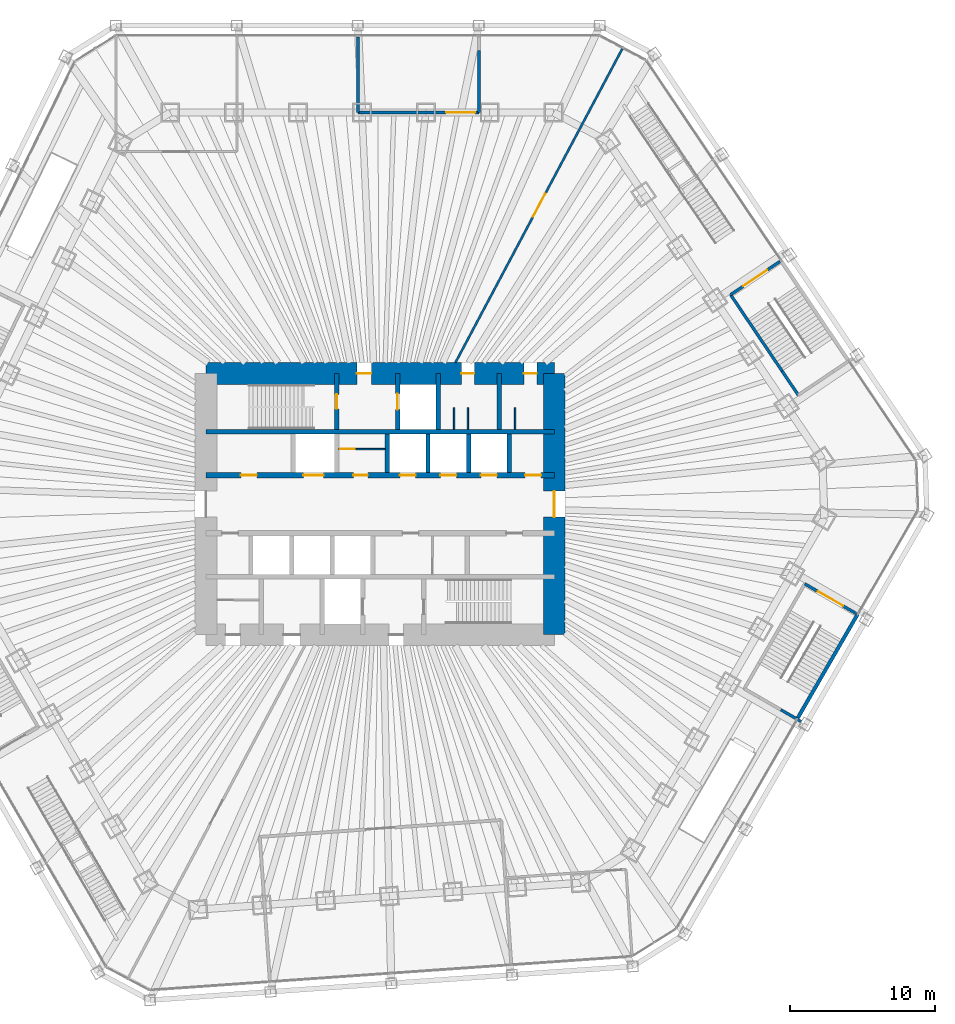
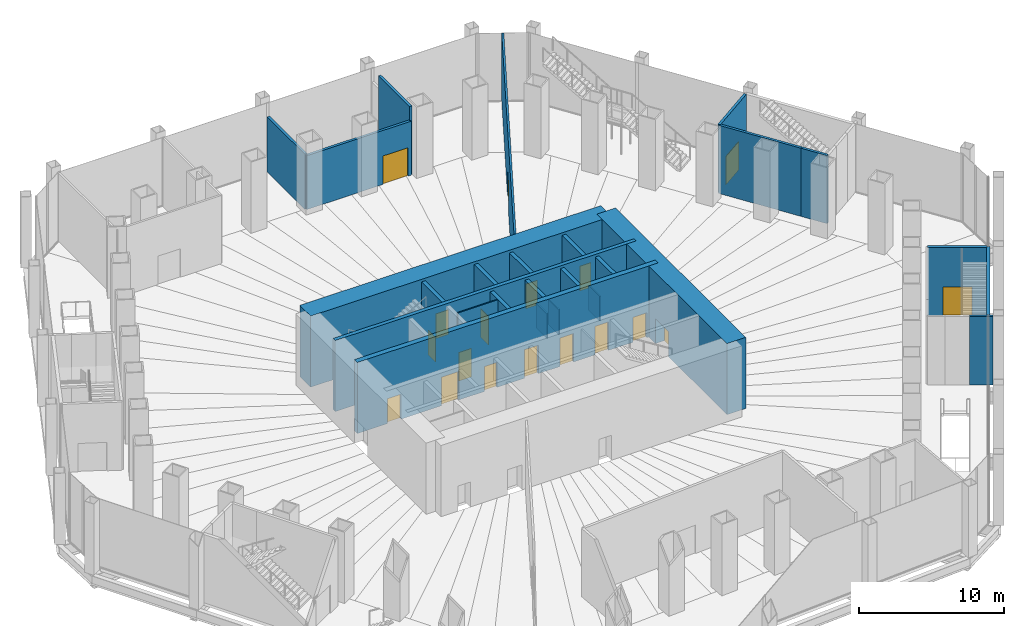
# One storey, part 20 of 23: 26 walls, 18 doors, 18 openings.
"""IFC4 building model written with IfcOpenShell, lengths in metres."""

from ifc_helpers import new_model, si_unit, direction, frame, frame_2d, origin, place, context, subcontext, project, spatial, rectangle, extrude, material, layer, layer_set, type_object, element, fill, save


model = new_model("IFC4")

# Units and contexts
model_context = context("Model", 3, precision=1e-05, world=origin(), true_north=direction((0.0, 1.0)))
body_context = subcontext(model_context, "Body", "Model", "MODEL_VIEW")
ifc_project = project(units=[si_unit("LENGTHUNIT", "METRE"), si_unit("AREAUNIT", "SQUARE_METRE"), si_unit("VOLUMEUNIT", "CUBIC_METRE"), si_unit("PLANEANGLEUNIT", "RADIAN"), si_unit("MASSUNIT", "GRAM", prefix="KILO")], contexts=[model_context])

# Site, building, storey
site_placement = place(None, origin())
site = spatial("IfcSite", under=ifc_project, at=site_placement, CompositionType="ELEMENT")
building_placement = place(site_placement, origin())
building = spatial("IfcBuilding", under=site, at=building_placement, Name="Qingtian Harvest Tower", CompositionType="ELEMENT")
storey_placement = place(building_placement, frame((0.0, 0.0, 6.0)))
storey = spatial("IfcBuildingStorey", under=building, at=storey_placement, Name="L01", CompositionType="ELEMENT", Elevation=6.0)

# Wall
ifc_material_1 = material(Name="Concrete fc' 70 MPa", Category="concrete")
ifc_layer_1 = layer(ifc_material_1, 0.300048828125)
ifc_layer_set_1 = layer_set([ifc_layer_1], Name="Core inner wall RC5 300")
wall_type_1 = type_object("IfcWallType", Name="Core inner wall RC5 300", PredefinedType="SHEAR", material=ifc_layer_set_1)
wall_1_placement = place(storey_placement, frame((-12.0, 5.0, 0.0), z_axis=(0.0, 0.0, 1.0), x_axis=(1.0, 0.0, 0.0)))
element("IfcWall", 1, at=wall_1_placement, inside=storey, type_object=wall_type_1, Name="Core wall IN5 L01", PredefinedType="SHEAR", context=body_context, shape_type="SweptSolid", body=[
    extrude(rectangle(XDim=24.0, YDim=0.300048828125, at=frame_2d((12.0, 0.0))), origin(), (0.0, 0.0, 1.0), 6.0),
])

# Wall, openings, doors
ifc_material_2 = material(Name="Concrete fc' 70 MPa", Category="concrete")
ifc_layer_2 = layer(ifc_material_2, 0.39990234375)
ifc_layer_set_2 = layer_set([ifc_layer_2], Name="Core inner web RC6 400")
wall_type_2 = type_object("IfcWallType", Name="Core inner web RC6 400", PredefinedType="SHEAR", material=ifc_layer_set_2)
wall_2_placement = place(storey_placement, frame((-12.0, 2.0, 0.0), z_axis=(0.0, 0.0, 1.0), x_axis=(1.0, 0.0, 0.0)))
wall_2 = element("IfcWall", 2, at=wall_2_placement, inside=storey, type_object=wall_type_2, Name="Core wall IN2 L01", PredefinedType="SHEAR", context=body_context, shape_type="SweptSolid", body=[
    extrude(rectangle(XDim=24.0, YDim=0.39990234375, at=frame_2d((12.0, 0.0))), origin(), (0.0, 0.0, 1.0), 6.0),
])
opening_1_placement = place(wall_2_placement, frame((2.39990234375, 0.0, 0.0)))
opening_1 = element("IfcOpeningElement", 3, at=opening_1_placement, cuts=wall_2, Name="Opening FD4", PredefinedType="OPENING", context=body_context, shape_type="SweptSolid", body=[
    extrude(rectangle(XDim=1.10009765625, YDim=2.10009765625, at=frame_2d((0.550048828125, 1.050048828125))), frame((0.0, 0.2099609375, 0.0), z_axis=(0.0, -1.0, 0.0), x_axis=(1.0, 0.0, 0.0)), (0.0, 0.0, 1.0), 0.419921875),
])
opening_2_placement = place(wall_2_placement, frame((22.0, 0.0, 0.0)))
opening_2 = element("IfcOpeningElement", 4, at=opening_2_placement, cuts=wall_2, Name="Opening FD4", PredefinedType="OPENING", context=body_context, shape_type="SweptSolid", body=[
    extrude(rectangle(XDim=1.10009765625, YDim=2.10009765625, at=frame_2d((0.550048828125, 1.050048828125))), frame((0.0, 0.2099609375, 0.0), z_axis=(0.0, -1.0, 0.0), x_axis=(1.0, 0.0, 0.0)), (0.0, 0.0, 1.0), 0.419921875),
])
opening_3_placement = place(wall_2_placement, frame((10.14990234375, 0.0, 0.0)))
opening_3 = element("IfcOpeningElement", 5, at=opening_3_placement, cuts=wall_2, Name="Opening FD1", PredefinedType="OPENING", context=body_context, shape_type="SweptSolid", body=[
    extrude(rectangle(XDim=1.0, YDim=2.10009765625, at=frame_2d((0.5, 1.050048828125))), frame((0.0, 0.2099609375, 0.0), z_axis=(0.0, -1.0, 0.0), x_axis=(1.0, 0.0, 0.0)), (0.0, 0.0, 1.0), 0.419921875),
])
opening_4_placement = place(wall_2_placement, frame((6.699951171875, 0.0, 0.0)))
opening_4 = element("IfcOpeningElement", 6, at=opening_4_placement, cuts=wall_2, Name="Opening LD2", PredefinedType="OPENING", context=body_context, shape_type="SweptSolid", body=[
    extrude(rectangle(XDim=1.39990234375, YDim=2.39990234375, at=frame_2d((0.699951171875, 1.199951171875))), frame((0.0, 0.2099609375, 0.0), z_axis=(0.0, -1.0, 0.0), x_axis=(1.0, 0.0, 0.0)), (0.0, 0.0, 1.0), 0.419921875),
])
opening_5_placement = place(wall_2_placement, frame((13.35009765625, 0.0, 0.0)))
opening_5 = element("IfcOpeningElement", 7, at=opening_5_placement, cuts=wall_2, Name="Opening LD1", PredefinedType="OPENING", context=body_context, shape_type="SweptSolid", body=[
    extrude(rectangle(XDim=1.10009765625, YDim=2.39990234375, at=frame_2d((0.550048828125, 1.199951171875))), frame((0.0, 0.2099609375, 0.0), z_axis=(0.0, -1.0, 0.0), x_axis=(1.0, 0.0, 0.0)), (0.0, 0.0, 1.0), 0.419921875),
])
opening_6_placement = place(wall_2_placement, frame((16.14990234375, 0.0, 0.0)))
opening_6 = element("IfcOpeningElement", 8, at=opening_6_placement, cuts=wall_2, Name="Opening LD1", PredefinedType="OPENING", context=body_context, shape_type="SweptSolid", body=[
    extrude(rectangle(XDim=1.10009765625, YDim=2.39990234375, at=frame_2d((0.550048828125, 1.199951171875))), frame((0.0, 0.2099609375, 0.0), z_axis=(0.0, -1.0, 0.0), x_axis=(1.0, 0.0, 0.0)), (0.0, 0.0, 1.0), 0.419921875),
])
opening_7_placement = place(wall_2_placement, frame((18.949951171875, 0.0, 0.0)))
opening_7 = element("IfcOpeningElement", 9, at=opening_7_placement, cuts=wall_2, Name="Opening LD1", PredefinedType="OPENING", context=body_context, shape_type="SweptSolid", body=[
    extrude(rectangle(XDim=1.10009765625, YDim=2.39990234375, at=frame_2d((0.550048828125, 1.199951171875))), frame((0.0, 0.2099609375, 0.0), z_axis=(0.0, -1.0, 0.0), x_axis=(1.0, 0.0, 0.0)), (0.0, 0.0, 1.0), 0.419921875),
])
ifc_material_3 = material(Name="Steel-faced door leaf", Category="steel")
door_type_1 = type_object("IfcDoorType", Name="Fire door FD1 single 1 HR", OperationType="SINGLE_SWING_LEFT", PredefinedType="DOOR", material=ifc_material_3)
door_1_placement = place(opening_3_placement, origin())
door_1 = element("IfcDoor", 10, at=door_1_placement, inside=storey, type_object=door_type_1, Name="STA door L01", OperationType="SINGLE_SWING_LEFT", OverallHeight=2.10009765625, OverallWidth=1.0, PredefinedType="DOOR", context=body_context, shape_type="SweptSolid", body=[
    extrude(rectangle(XDim=1.0, YDim=2.10009765625, at=frame_2d((0.5, 1.050048828125))), frame((0.0, 0.02490234375, 0.0), z_axis=(0.0, -1.0, 0.0), x_axis=(1.0, 0.0, 0.0)), (0.0, 0.0, 1.0), 0.050048828125),
])
fill(opening_3, door_1)
ifc_material_4 = material(Name="Steel-faced door leaf", Category="steel")
door_type_2 = type_object("IfcDoorType", Name="Fire door FD4 single 2 HR", OperationType="SINGLE_SWING_LEFT", PredefinedType="DOOR", material=ifc_material_4)
door_2_placement = place(opening_1_placement, origin())
door_2 = element("IfcDoor", 11, at=door_2_placement, inside=storey, type_object=door_type_2, Name="RA door L01", OperationType="SINGLE_SWING_LEFT", OverallHeight=2.10009765625, OverallWidth=1.10009765625, PredefinedType="DOOR", context=body_context, shape_type="SweptSolid", body=[
    extrude(rectangle(XDim=1.10009765625, YDim=2.10009765625, at=frame_2d((0.550048828125, 1.050048828125))), frame((0.0, 0.02490234375, 0.0), z_axis=(0.0, -1.0, 0.0), x_axis=(1.0, 0.0, 0.0)), (0.0, 0.0, 1.0), 0.050048828125),
])
fill(opening_1, door_2)
door_3_placement = place(opening_2_placement, origin())
door_3 = element("IfcDoor", 12, at=door_3_placement, inside=storey, type_object=door_type_2, Name="AHU door L01", OperationType="SINGLE_SWING_RIGHT", OverallHeight=2.10009765625, OverallWidth=1.10009765625, PredefinedType="DOOR", context=body_context, shape_type="SweptSolid", body=[
    extrude(rectangle(XDim=1.10009765625, YDim=2.10009765625, at=frame_2d((0.550048828125, 1.050048828125))), frame((0.0, 0.02490234375, 0.0), z_axis=(0.0, -1.0, 0.0), x_axis=(1.0, 0.0, 0.0)), (0.0, 0.0, 1.0), 0.050048828125),
])
fill(opening_2, door_3)
ifc_material_5 = material(Name="Stainless steel lift landing door", Category="steel")
door_type_3 = type_object("IfcDoorType", Name="Goods lift landing door LD2 1 HR", OperationType="DOUBLE_DOOR_SLIDING", PredefinedType="DOOR", material=ifc_material_5)
door_4_placement = place(opening_4_placement, origin())
door_4 = element("IfcDoor", 13, at=door_4_placement, inside=storey, type_object=door_type_3, Name="GL1 landing door L01", OperationType="DOUBLE_DOOR_SLIDING", OverallHeight=2.39990234375, OverallWidth=1.39990234375, PredefinedType="DOOR", context=body_context, shape_type="SweptSolid", body=[
    extrude(rectangle(XDim=1.39990234375, YDim=2.39990234375, at=frame_2d((0.699951171875, 1.199951171875))), frame((0.0, 0.02490234375, 0.0), z_axis=(0.0, -1.0, 0.0), x_axis=(1.0, 0.0, 0.0)), (0.0, 0.0, 1.0), 0.050048828125),
])
fill(opening_4, door_4)
ifc_material_6 = material(Name="Stainless steel lift landing door", Category="steel")
door_type_4 = type_object("IfcDoorType", Name="Lift landing door LD1 1 HR", OperationType="DOUBLE_DOOR_SLIDING", PredefinedType="DOOR", material=ifc_material_6)
door_5_placement = place(opening_5_placement, origin())
door_5 = element("IfcDoor", 14, at=door_5_placement, inside=storey, type_object=door_type_4, Name="PLA1 landing door L01", OperationType="DOUBLE_DOOR_SLIDING", OverallHeight=2.39990234375, OverallWidth=1.10009765625, PredefinedType="DOOR", context=body_context, shape_type="SweptSolid", body=[
    extrude(rectangle(XDim=1.10009765625, YDim=2.39990234375, at=frame_2d((0.550048828125, 1.199951171875))), frame((0.0, 0.02490234375, 0.0), z_axis=(0.0, -1.0, 0.0), x_axis=(1.0, 0.0, 0.0)), (0.0, 0.0, 1.0), 0.050048828125),
])
fill(opening_5, door_5)
door_6_placement = place(opening_6_placement, origin())
door_6 = element("IfcDoor", 15, at=door_6_placement, inside=storey, type_object=door_type_4, Name="PLA2 landing door L01", OperationType="DOUBLE_DOOR_SLIDING", OverallHeight=2.39990234375, OverallWidth=1.10009765625, PredefinedType="DOOR", context=body_context, shape_type="SweptSolid", body=[
    extrude(rectangle(XDim=1.10009765625, YDim=2.39990234375, at=frame_2d((0.550048828125, 1.199951171875))), frame((0.0, 0.02490234375, 0.0), z_axis=(0.0, -1.0, 0.0), x_axis=(1.0, 0.0, 0.0)), (0.0, 0.0, 1.0), 0.050048828125),
])
fill(opening_6, door_6)
door_7_placement = place(opening_7_placement, origin())
door_7 = element("IfcDoor", 16, at=door_7_placement, inside=storey, type_object=door_type_4, Name="PLA3 landing door L01", OperationType="DOUBLE_DOOR_SLIDING", OverallHeight=2.39990234375, OverallWidth=1.10009765625, PredefinedType="DOOR", context=body_context, shape_type="SweptSolid", body=[
    extrude(rectangle(XDim=1.10009765625, YDim=2.39990234375, at=frame_2d((0.550048828125, 1.199951171875))), frame((0.0, 0.02490234375, 0.0), z_axis=(0.0, -1.0, 0.0), x_axis=(1.0, 0.0, 0.0)), (0.0, 0.0, 1.0), 0.050048828125),
])
fill(opening_7, door_7)

# Wall, opening, door
ifc_material_7 = material(Name="Precast concrete shaft panel", Category="concrete")
ifc_layer_3 = layer(ifc_material_7, 0.300048828125)
ifc_layer_set_3 = layer_set([ifc_layer_3], Name="Core shaft partition SW1 300")
wall_type_3 = type_object("IfcWallType", Name="Core shaft partition SW1 300", PredefinedType="PARTITIONING", material=ifc_layer_set_3)
wall_3_placement = place(storey_placement, frame((-3.0, 5.14990234375, 0.0), z_axis=(0.0, 0.0, 1.0), x_axis=(0.0, 1.0, 0.0)))
wall_3 = element("IfcWall", 17, at=wall_3_placement, inside=storey, type_object=wall_type_3, Name="Core shaft partition XN1 L01", PredefinedType="PARTITIONING", context=body_context, shape_type="SweptSolid", body=[
    extrude(rectangle(XDim=3.85009765625, YDim=0.300048828125, at=frame_2d((1.925048828125, 0.0))), origin(), (0.0, 0.0, 1.0), 5.780029296875),
])
opening_8_placement = place(wall_3_placement, frame((1.425048828125, 0.0, 0.0)))
opening_8 = element("IfcOpeningElement", 18, at=opening_8_placement, cuts=wall_3, Name="Opening FD1", PredefinedType="OPENING", context=body_context, shape_type="SweptSolid", body=[
    extrude(rectangle(XDim=1.0, YDim=2.10009765625, at=frame_2d((0.5, 1.050048828125))), frame((0.0, 0.159912109375, 0.0), z_axis=(0.0, -1.0, 0.0), x_axis=(1.0, 0.0, 0.0)), (0.0, 0.0, 1.0), 0.320068359375),
])
door_8_placement = place(opening_8_placement, origin())
door_8 = element("IfcDoor", 19, at=door_8_placement, inside=storey, type_object=door_type_1, Name="S1 door L01", OperationType="SINGLE_SWING_RIGHT", OverallHeight=2.10009765625, OverallWidth=1.0, PredefinedType="DOOR", context=body_context, shape_type="SweptSolid", body=[
    extrude(rectangle(XDim=1.0, YDim=2.10009765625, at=frame_2d((0.5, 1.050048828125))), frame((0.0, 0.02490234375, 0.0), z_axis=(0.0, -1.0, 0.0), x_axis=(1.0, 0.0, 0.0)), (0.0, 0.0, 1.0), 0.050048828125),
])
fill(opening_8, door_8)

wall_4_placement = place(storey_placement, frame((1.199951171875, 5.14990234375, 0.0), z_axis=(0.0, 0.0, 1.0), x_axis=(0.0, 1.0, 0.0)))
wall_4 = element("IfcWall", 20, at=wall_4_placement, inside=storey, type_object=wall_type_3, Name="Core shaft partition XN2 L01", PredefinedType="PARTITIONING", context=body_context, shape_type="SweptSolid", body=[
    extrude(rectangle(XDim=3.85009765625, YDim=0.300048828125, at=frame_2d((1.925048828125, 0.0))), origin(), (0.0, 0.0, 1.0), 5.780029296875),
])
opening_9_placement = place(wall_4_placement, frame((1.375, 0.0, 0.0)))
opening_9 = element("IfcOpeningElement", 21, at=opening_9_placement, cuts=wall_4, Name="Opening LD1", PredefinedType="OPENING", context=body_context, shape_type="SweptSolid", body=[
    extrude(rectangle(XDim=1.10009765625, YDim=2.39990234375, at=frame_2d((0.550048828125, 1.199951171875))), frame((0.0, 0.159912109375, 0.0), z_axis=(0.0, -1.0, 0.0), x_axis=(1.0, 0.0, 0.0)), (0.0, 0.0, 1.0), 0.320068359375),
])
door_9_placement = place(opening_9_placement, origin())
door_9 = element("IfcDoor", 22, at=door_9_placement, inside=storey, type_object=door_type_4, Name="FL1 landing door L01", OperationType="DOUBLE_DOOR_SLIDING", OverallHeight=2.39990234375, OverallWidth=1.10009765625, PredefinedType="DOOR", context=body_context, shape_type="SweptSolid", body=[
    extrude(rectangle(XDim=1.10009765625, YDim=2.39990234375, at=frame_2d((0.550048828125, 1.199951171875))), frame((0.0, 0.02490234375, 0.0), z_axis=(0.0, -1.0, 0.0), x_axis=(1.0, 0.0, 0.0)), (0.0, 0.0, 1.0), 0.050048828125),
])
fill(opening_9, door_9)

# Walls
for number, where, z_axis, x_axis, name in (
    (23, (4.0, 5.14990234375, 0.0), (0.0, 0.0, 1.0), (0.0, 1.0, 0.0), "Core shaft partition XN3 L01"),
    (24, (8.199951171875, 5.14990234375, 0.0), (0.0, 0.0, 1.0), (0.0, 1.0, 0.0), "Core shaft partition XN4 L01"),
):
    element("IfcWall", number, at=place(storey_placement, frame(where, z_axis=z_axis, x_axis=x_axis)), inside=storey, type_object=wall_type_3, Name=name, PredefinedType="PARTITIONING", context=body_context, shape_type="SweptSolid", body=[
        extrude(rectangle(XDim=3.85009765625, YDim=0.300048828125, at=frame_2d((1.925048828125, 0.0))), origin(), (0.0, 0.0, 1.0), 5.780029296875),
    ])
for number, where, z_axis, x_axis, name in (
    (25, (0.5, 2.199951171875, 0.0), (0.0, 0.0, 1.0), (0.0, 1.0, 0.0), "Core shaft partition XA3 L01"),
    (26, (3.300048828125, 2.199951171875, 0.0), (0.0, 0.0, 1.0), (0.0, 1.0, 0.0), "Core shaft partition XA4 L01"),
    (27, (6.10009765625, 2.199951171875, 0.0), (0.0, 0.0, 1.0), (0.0, 1.0, 0.0), "Core shaft partition XA5 L01"),
    (28, (8.89990234375, 2.199951171875, 0.0), (0.0, 0.0, 1.0), (0.0, 1.0, 0.0), "Core shaft partition XA6 L01"),
):
    element("IfcWall", number, at=place(storey_placement, frame(where, z_axis=z_axis, x_axis=x_axis)), inside=storey, type_object=wall_type_3, Name=name, PredefinedType="PARTITIONING", context=body_context, shape_type="SweptSolid", body=[
        extrude(rectangle(XDim=2.650146484375, YDim=0.300048828125, at=frame_2d((1.3251953125, 0.0))), origin(), (0.0, 0.0, 1.0), 5.780029296875),
    ])

# Wall, openings, doors
ifc_material_8 = material(Name="Concrete fc' 70 MPa", Category="concrete")
ifc_layer_4 = layer(ifc_material_8, 1.5)
ifc_layer_set_4 = layer_set([ifc_layer_4], Name="Core wall RC1 1500")
wall_type_4 = type_object("IfcWallType", Name="Core wall RC1 1500", PredefinedType="SHEAR", material=ifc_layer_set_4)
wall_5_placement = place(storey_placement, frame((-12.0, 9.0, 0.0), z_axis=(0.0, 0.0, 1.0), x_axis=(1.0, 0.0, 0.0)))
wall_5 = element("IfcWall", 29, at=wall_5_placement, inside=storey, type_object=wall_type_4, Name="Core wall CN L01", PredefinedType="SHEAR", context=body_context, shape_type="SweptSolid", body=[
    extrude(rectangle(XDim=24.0, YDim=1.5, at=frame_2d((12.0, 0.0))), origin(), (0.0, 0.0, 1.0), 6.0),
])
opening_10_placement = place(wall_5_placement, frame((10.39990234375, 0.0, 0.0)))
opening_10 = element("IfcOpeningElement", 30, at=opening_10_placement, cuts=wall_5, Name="Opening FD1", PredefinedType="OPENING", context=body_context, shape_type="SweptSolid", body=[
    extrude(rectangle(XDim=1.0, YDim=2.10009765625, at=frame_2d((0.5, 1.050048828125))), frame((0.0, 0.760009765625, 0.0), z_axis=(0.0, -1.0, 0.0), x_axis=(1.0, 0.0, 0.0)), (0.0, 0.0, 1.0), 1.52001953125),
])
opening_11_placement = place(wall_5_placement, frame((17.60009765625, 0.0, 0.0)))
opening_11 = element("IfcOpeningElement", 31, at=opening_11_placement, cuts=wall_5, Name="Opening D1", PredefinedType="OPENING", context=body_context, shape_type="SweptSolid", body=[
    extrude(rectangle(XDim=0.89990234375, YDim=2.10009765625, at=frame_2d((0.449951171875, 1.050048828125))), frame((0.0, 0.760009765625, 0.0), z_axis=(0.0, -1.0, 0.0), x_axis=(1.0, 0.0, 0.0)), (0.0, 0.0, 1.0), 1.52001953125),
])
opening_12_placement = place(wall_5_placement, frame((21.89990234375, 0.0, 0.0)))
opening_12 = element("IfcOpeningElement", 32, at=opening_12_placement, cuts=wall_5, Name="Opening D1", PredefinedType="OPENING", context=body_context, shape_type="SweptSolid", body=[
    extrude(rectangle(XDim=0.89990234375, YDim=2.10009765625, at=frame_2d((0.449951171875, 1.050048828125))), frame((0.0, 0.760009765625, 0.0), z_axis=(0.0, -1.0, 0.0), x_axis=(1.0, 0.0, 0.0)), (0.0, 0.0, 1.0), 1.52001953125),
])
door_10_placement = place(opening_10_placement, origin())
door_10 = element("IfcDoor", 33, at=door_10_placement, inside=storey, type_object=door_type_1, Name="V1 door L01", OperationType="SINGLE_SWING_RIGHT", OverallHeight=2.10009765625, OverallWidth=1.0, PredefinedType="DOOR", context=body_context, shape_type="SweptSolid", body=[
    extrude(rectangle(XDim=1.0, YDim=2.10009765625, at=frame_2d((0.5, 1.050048828125))), frame((0.0, 0.02490234375, 0.0), z_axis=(0.0, -1.0, 0.0), x_axis=(1.0, 0.0, 0.0)), (0.0, 0.0, 1.0), 0.050048828125),
])
fill(opening_10, door_10)
ifc_material_9 = material(Name="Laminated timber door leaf", Category="wood")
door_type_5 = type_object("IfcDoorType", Name="Toilet door D1 single", OperationType="SINGLE_SWING_LEFT", PredefinedType="DOOR", material=ifc_material_9)
door_11_placement = place(opening_11_placement, origin())
door_11 = element("IfcDoor", 34, at=door_11_placement, inside=storey, type_object=door_type_5, Name="WCM door L01", OperationType="SINGLE_SWING_LEFT", OverallHeight=2.10009765625, OverallWidth=0.89990234375, PredefinedType="DOOR", context=body_context, shape_type="SweptSolid", body=[
    extrude(rectangle(XDim=0.89990234375, YDim=2.10009765625, at=frame_2d((0.449951171875, 1.050048828125))), frame((0.0, 0.02490234375, 0.0), z_axis=(0.0, -1.0, 0.0), x_axis=(1.0, 0.0, 0.0)), (0.0, 0.0, 1.0), 0.050048828125),
])
fill(opening_11, door_11)
door_12_placement = place(opening_12_placement, origin())
door_12 = element("IfcDoor", 35, at=door_12_placement, inside=storey, type_object=door_type_5, Name="WCF door L01", OperationType="SINGLE_SWING_LEFT", OverallHeight=2.10009765625, OverallWidth=0.89990234375, PredefinedType="DOOR", context=body_context, shape_type="SweptSolid", body=[
    extrude(rectangle(XDim=0.89990234375, YDim=2.10009765625, at=frame_2d((0.449951171875, 1.050048828125))), frame((0.0, 0.02490234375, 0.0), z_axis=(0.0, -1.0, 0.0), x_axis=(1.0, 0.0, 0.0)), (0.0, 0.0, 1.0), 0.050048828125),
])
fill(opening_12, door_12)

# Wall, opening, door
wall_6_placement = place(storey_placement, frame((12.0, -9.0, 0.0), z_axis=(0.0, 0.0, 1.0), x_axis=(0.0, 1.0, 0.0)))
wall_6 = element("IfcWall", 36, at=wall_6_placement, inside=storey, type_object=wall_type_4, Name="Core wall CE L01", PredefinedType="SHEAR", context=body_context, shape_type="SweptSolid", body=[
    extrude(rectangle(XDim=18.0, YDim=1.5, at=frame_2d((9.0, 0.0))), origin(), (0.0, 0.0, 1.0), 6.0),
])
opening_13_placement = place(wall_6_placement, frame((8.10009765625, 0.0, 0.0)))
opening_13 = element("IfcOpeningElement", 37, at=opening_13_placement, cuts=wall_6, Name="Opening FD2", PredefinedType="OPENING", context=body_context, shape_type="SweptSolid", body=[
    extrude(rectangle(XDim=1.800048828125, YDim=2.10009765625, at=frame_2d((0.89990234375, 1.050048828125))), frame((0.0, 0.760009765625, 0.0), z_axis=(0.0, -1.0, 0.0), x_axis=(1.0, 0.0, 0.0)), (0.0, 0.0, 1.0), 1.52001953125),
])
ifc_material_10 = material(Name="Steel-faced door leaf", Category="steel")
door_type_6 = type_object("IfcDoorType", Name="Fire door FD2 double 1 HR", OperationType="DOUBLE_DOOR_DOUBLE_SWING", PredefinedType="DOOR", material=ifc_material_10)
door_13_placement = place(opening_13_placement, origin())
door_13 = element("IfcDoor", 38, at=door_13_placement, inside=storey, type_object=door_type_6, Name="LOBBY-E door L01", OperationType="DOUBLE_DOOR_DOUBLE_SWING", OverallHeight=2.10009765625, OverallWidth=1.800048828125, PredefinedType="DOOR", context=body_context, shape_type="SweptSolid", body=[
    extrude(rectangle(XDim=1.800048828125, YDim=2.10009765625, at=frame_2d((0.89990234375, 1.050048828125))), frame((0.0, 0.02490234375, 0.0), z_axis=(0.0, -1.0, 0.0), x_axis=(1.0, 0.0, 0.0)), (0.0, 0.0, 1.0), 0.050048828125),
])
fill(opening_13, door_13)

# Walls
ifc_material_11 = material(Name="Bronze-clad steel-framed screen wall with fire-rated lining", Category="steel")
ifc_layer_5 = layer(ifc_material_11, 0.25)
ifc_layer_set_5 = layer_set([ifc_layer_5], Name="Facade door bay wall FW2 250")
wall_type_5 = type_object("IfcWallType", Name="Facade door bay wall FW2 250", PredefinedType="SOLIDWALL", material=ifc_layer_set_5)
wall_7_placement = place(storey_placement, frame((32.912109375, -7.5947265625, 0.0), z_axis=(0.0, 0.0, 1.0), x_axis=(-0.500004511595, -0.866022798998, 0.0)))
element("IfcWall", 39, at=wall_7_placement, inside=storey, type_object=wall_type_5, Name="Exit stair wall bay SE1", PredefinedType="SOLIDWALL", context=body_context, shape_type="SweptSolid", body=[
    extrude(rectangle(XDim=8.341796875, YDim=0.25, at=frame_2d((4.1708984375, 0.0))), origin(), (0.0, 0.0, 1.0), 5.75),
])
ifc_material_12 = material(Name="Blockwork fire wall", Category="masonry")
ifc_layer_6 = layer(ifc_material_12, 0.199951171875)
ifc_layer_set_6 = layer_set([ifc_layer_6], Name="Fire partition FW1 200")
wall_type_6 = type_object("IfcWallType", Name="Fire partition FW1 200", PredefinedType="PARTITIONING", material=ifc_layer_set_6)
wall_8_placement = place(storey_placement, frame((-1.537109375, 32.199951171875, 0.0), z_axis=(0.0, 0.0, 1.0), x_axis=(0.0, -1.0, 0.0)))
element("IfcWall", 40, at=wall_8_placement, inside=storey, type_object=wall_type_6, Name="Kitchen wall L01", PredefinedType="PARTITIONING", context=body_context, shape_type="SweptSolid", body=[
    extrude(rectangle(XDim=5.199951171875, YDim=0.199951171875, at=frame_2d((2.60009765625, 0.0))), origin(), (0.0, 0.0, 1.0), 4.64990234375),
])

# Wall, opening, door
wall_9_placement = place(storey_placement, frame((-1.537109375, 27.0, 0.0), z_axis=(0.0, 0.0, 1.0), x_axis=(1.0, 0.0, 0.0)))
wall_9 = element("IfcWall", 41, at=wall_9_placement, inside=storey, type_object=wall_type_6, Name="Kitchen wall L01", PredefinedType="PARTITIONING", context=body_context, shape_type="SweptSolid", body=[
    extrude(rectangle(XDim=8.341796875, YDim=0.199951171875, at=frame_2d((4.1708984375, 0.0))), origin(), (0.0, 0.0, 1.0), 4.550048828125),
])
opening_14_placement = place(wall_9_placement, frame((6.090576171875, 0.0, 0.0)))
opening_14 = element("IfcOpeningElement", 42, at=opening_14_placement, cuts=wall_9, Name="Opening FD3", PredefinedType="OPENING", context=body_context, shape_type="SweptSolid", body=[
    extrude(rectangle(XDim=2.0, YDim=2.39990234375, at=frame_2d((1.0, 1.199951171875))), frame((0.0, 0.10986328125, 0.0), z_axis=(0.0, -1.0, 0.0), x_axis=(1.0, 0.0, 0.0)), (0.0, 0.0, 1.0), 0.219970703125),
])
ifc_material_13 = material(Name="Steel-faced door leaf", Category="steel")
door_type_7 = type_object("IfcDoorType", Name="Fire door FD3 double 2 HR", OperationType="DOUBLE_DOOR_DOUBLE_SWING", PredefinedType="DOOR", material=ifc_material_13)
door_14_placement = place(opening_14_placement, origin())
door_14 = element("IfcDoor", 43, at=door_14_placement, inside=storey, type_object=door_type_7, Name="Kitchen door L01", OperationType="DOUBLE_DOOR_DOUBLE_SWING", OverallHeight=2.39990234375, OverallWidth=2.0, PredefinedType="DOOR", context=body_context, shape_type="SweptSolid", body=[
    extrude(rectangle(XDim=2.0, YDim=2.39990234375, at=frame_2d((1.0, 1.199951171875))), frame((0.0, 0.02490234375, 0.0), z_axis=(0.0, -1.0, 0.0), x_axis=(1.0, 0.0, 0.0)), (0.0, 0.0, 1.0), 0.050048828125),
])
fill(opening_14, door_14)

wall_10_placement = place(storey_placement, frame((27.5546875, 16.731689453125, 0.0), z_axis=(0.0, 0.0, 1.0), x_axis=(-0.829042598749, -0.55918545176, 0.0)))
wall_10 = element("IfcWall", 44, at=wall_10_placement, inside=storey, type_object=wall_type_6, Name="Exit stair P1 enclosure L01", PredefinedType="PARTITIONING", context=body_context, shape_type="SweptSolid", body=[
    extrude(rectangle(XDim=4.10009765625, YDim=0.199951171875, at=frame_2d((2.050048828125, 0.0))), origin(), (0.0, 0.0, 1.0), 5.75),
])
opening_15_placement = place(wall_10_placement, frame((1.050048828125, 0.0, 0.0)))
opening_15 = element("IfcOpeningElement", 45, at=opening_15_placement, cuts=wall_10, Name="Opening FD3", PredefinedType="OPENING", context=body_context, shape_type="SweptSolid", body=[
    extrude(rectangle(XDim=2.0, YDim=2.39990234375, at=frame_2d((1.0, 1.199951171875))), frame((0.0, 0.10986328125, 0.0), z_axis=(0.0, -1.0, 0.0), x_axis=(1.0, 0.0, 0.0)), (0.0, 0.0, 1.0), 0.219970703125),
])
door_15_placement = place(opening_15_placement, origin())
door_15 = element("IfcDoor", 46, at=door_15_placement, inside=storey, type_object=door_type_7, Name="Exit stair P1 door L01", OperationType="DOUBLE_DOOR_DOUBLE_SWING", OverallHeight=2.39990234375, OverallWidth=2.0, PredefinedType="DOOR", context=body_context, shape_type="SweptSolid", body=[
    extrude(rectangle(XDim=2.0, YDim=2.39990234375, at=frame_2d((1.0, 1.199951171875))), frame((0.0, 0.02490234375, 0.0), z_axis=(0.0, -1.0, 0.0), x_axis=(1.0, 0.0, 0.0)), (0.0, 0.0, 1.0), 0.050048828125),
])
fill(opening_15, door_15)

# Walls
wall_11_placement = place(storey_placement, frame((24.155517578125, 14.43896484375, 0.0), z_axis=(0.0, 0.0, 1.0), x_axis=(0.559181615952, -0.829045185971, 0.0)))
element("IfcWall", 47, at=wall_11_placement, inside=storey, type_object=wall_type_6, Name="Exit stair P1 enclosure L01", PredefinedType="PARTITIONING", context=body_context, shape_type="SweptSolid", body=[
    extrude(rectangle(XDim=6.349853515625, YDim=0.199951171875, at=frame_2d((3.1748046875, 0.0))), origin(), (0.0, 0.0, 1.0), 5.75),
])
wall_12_placement = place(storey_placement, frame((27.706298828125, 9.174560546875, 0.0), z_axis=(0.0, 0.0, 1.0), x_axis=(0.559218085846, -0.829020586272, 0.0)))
element("IfcWall", 48, at=wall_12_placement, inside=storey, type_object=wall_type_6, Name="Exit stair P1 enclosure L01", PredefinedType="PARTITIONING", context=body_context, shape_type="SweptSolid", body=[
    extrude(rectangle(XDim=1.99169921875, YDim=0.199951171875, at=frame_2d((0.995849609375, 0.0))), origin(), (0.0, 0.0, 1.0), 5.75),
])

# Wall, opening, door
wall_13_placement = place(storey_placement, frame((32.825439453125, -7.544677734375, 0.0), z_axis=(0.0, 0.0, 1.0), x_axis=(-0.8660249478, 0.500000789788, 0.0)))
wall_13 = element("IfcWall", 49, at=wall_13_placement, inside=storey, type_object=wall_type_6, Name="Exit stair P2 enclosure L01", PredefinedType="PARTITIONING", context=body_context, shape_type="SweptSolid", body=[
    extrude(rectangle(XDim=4.10009765625, YDim=0.199951171875, at=frame_2d((2.050048828125, 0.0))), origin(), (0.0, 0.0, 1.0), 5.75),
])
opening_16_placement = place(wall_13_placement, frame((1.050048828125, 0.0, 0.0)))
opening_16 = element("IfcOpeningElement", 50, at=opening_16_placement, cuts=wall_13, Name="Opening FD3", PredefinedType="OPENING", context=body_context, shape_type="SweptSolid", body=[
    extrude(rectangle(XDim=2.0, YDim=2.39990234375, at=frame_2d((1.0, 1.199951171875))), frame((0.0, 0.10986328125, 0.0), z_axis=(0.0, -1.0, 0.0), x_axis=(1.0, 0.0, 0.0)), (0.0, 0.0, 1.0), 0.219970703125),
])
door_16_placement = place(opening_16_placement, origin())
door_16 = element("IfcDoor", 51, at=door_16_placement, inside=storey, type_object=door_type_7, Name="Exit stair P2 door L01", OperationType="DOUBLE_DOOR_DOUBLE_SWING", OverallHeight=2.39990234375, OverallWidth=2.0, PredefinedType="DOOR", context=body_context, shape_type="SweptSolid", body=[
    extrude(rectangle(XDim=2.0, YDim=2.39990234375, at=frame_2d((1.0, 1.199951171875))), frame((0.0, 0.02490234375, 0.0), z_axis=(0.0, -1.0, 0.0), x_axis=(1.0, 0.0, 0.0)), (0.0, 0.0, 1.0), 0.050048828125),
])
fill(opening_16, door_16)

# Walls
wall_14_placement = place(storey_placement, frame((29.022705078125, -14.981201171875, 0.0), z_axis=(0.0, 0.0, 1.0), x_axis=(-0.866015446554, 0.500017246033, 0.0)))
element("IfcWall", 52, at=wall_14_placement, inside=storey, type_object=wall_type_6, Name="Exit stair P2 enclosure L01", PredefinedType="PARTITIONING", context=body_context, shape_type="SweptSolid", body=[
    extrude(rectangle(XDim=1.625, YDim=0.199951171875, at=frame_2d((0.8125, 0.0))), origin(), (0.0, 0.0, 1.0), 5.75),
])
wall_15_placement = place(storey_placement, frame((6.8046875, 31.277099609375, 0.0), z_axis=(0.0, 0.0, 1.0), x_axis=(0.0, -1.0, 0.0)))
element("IfcWall", 53, at=wall_15_placement, inside=storey, type_object=wall_type_6, Name="Kitchen wall L01", PredefinedType="PARTITIONING", context=body_context, shape_type="SweptSolid", body=[
    extrude(rectangle(XDim=4.277099609375, YDim=0.199951171875, at=frame_2d((2.138671875, 0.0))), origin(), (0.0, 0.0, 1.0), 5.75),
])

# Wall, opening, door
ifc_material_14 = material(Name="Gypsum board on steel studs", Category="steel")
ifc_layer_7 = layer(ifc_material_14, 0.14990234375)
ifc_layer_set_7 = layer_set([ifc_layer_7], Name="Partition PT1 150")
wall_type_7 = type_object("IfcWallType", Name="Partition PT1 150", PredefinedType="PARTITIONING", material=ifc_layer_set_7)
wall_16_placement = place(storey_placement, frame((5.18408203125, 9.75, 0.0), z_axis=(0.0, 0.0, 1.0), x_axis=(0.469474147629, 0.882946218469, 0.0)))
wall_16 = element("IfcWall", 54, at=wall_16_placement, inside=storey, type_object=wall_type_7, Name="Hall dividing wall L01", PredefinedType="PARTITIONING", context=body_context, shape_type="SweptSolid", body=[
    extrude(rectangle(XDim=24.587646484375, YDim=0.14990234375, at=frame_2d((12.2939453125, 0.0))), origin(), (0.0, 0.0, 1.0), 5.75),
])
opening_17_placement = place(wall_16_placement, frame((11.393798828125, 0.0, 0.0)))
opening_17 = element("IfcOpeningElement", 55, at=opening_17_placement, cuts=wall_16, Name="Opening D3", PredefinedType="OPENING", context=body_context, shape_type="SweptSolid", body=[
    extrude(rectangle(XDim=1.800048828125, YDim=2.39990234375, at=frame_2d((0.89990234375, 1.199951171875))), frame((0.0, 0.0849609375, 0.0), z_axis=(0.0, -1.0, 0.0), x_axis=(1.0, 0.0, 0.0)), (0.0, 0.0, 1.0), 0.169921875),
])
ifc_material_15 = material(Name="Laminated timber door leaf", Category="wood")
door_type_8 = type_object("IfcDoorType", Name="Room door D3 double", OperationType="DOUBLE_DOOR_DOUBLE_SWING", PredefinedType="DOOR", material=ifc_material_15)
door_17_placement = place(opening_17_placement, origin())
door_17 = element("IfcDoor", 56, at=door_17_placement, inside=storey, type_object=door_type_8, Name="Hall door L01", OperationType="DOUBLE_DOOR_DOUBLE_SWING", OverallHeight=2.39990234375, OverallWidth=1.800048828125, PredefinedType="DOOR", context=body_context, shape_type="SweptSolid", body=[
    extrude(rectangle(XDim=1.800048828125, YDim=2.39990234375, at=frame_2d((0.89990234375, 1.199951171875))), frame((0.0, 0.02490234375, 0.0), z_axis=(0.0, -1.0, 0.0), x_axis=(1.0, 0.0, 0.0)), (0.0, 0.0, 1.0), 0.050048828125),
])
fill(opening_17, door_17)

ifc_material_16 = material(Name="Concrete block partition", Category="concrete")
ifc_layer_8 = layer(ifc_material_16, 0.10009765625)
ifc_layer_set_8 = layer_set([ifc_layer_8], Name="Store partition PT3 100")
wall_type_8 = type_object("IfcWallType", Name="Store partition PT3 100", PredefinedType="PARTITIONING", material=ifc_layer_set_8)
wall_17_placement = place(storey_placement, frame((-2.85009765625, 3.800048828125, 0.0), z_axis=(0.0, 0.0, 1.0), x_axis=(1.0, 0.0, 0.0)))
wall_17 = element("IfcWall", 57, at=wall_17_placement, inside=storey, type_object=wall_type_8, Name="Linen store wall L01", PredefinedType="PARTITIONING", context=body_context, shape_type="SweptSolid", body=[
    extrude(rectangle(XDim=3.2001953125, YDim=0.10009765625, at=frame_2d((1.60009765625, 0.0))), origin(), (0.0, 0.0, 1.0), 5.780029296875),
])
opening_18_placement = place(wall_17_placement, frame((0.10009765625, 0.0, 0.0)))
opening_18 = element("IfcOpeningElement", 58, at=opening_18_placement, cuts=wall_17, Name="Opening D2", PredefinedType="OPENING", context=body_context, shape_type="SweptSolid", body=[
    extrude(rectangle(XDim=1.0, YDim=2.39990234375, at=frame_2d((0.5, 1.199951171875))), frame((0.0, 0.06005859375, 0.0), z_axis=(0.0, -1.0, 0.0), x_axis=(1.0, 0.0, 0.0)), (0.0, 0.0, 1.0), 0.1201171875),
])
ifc_material_17 = material(Name="Laminated timber door leaf", Category="wood")
door_type_9 = type_object("IfcDoorType", Name="Room door D2 single", OperationType="SINGLE_SWING_LEFT", PredefinedType="DOOR", material=ifc_material_17)
door_18_placement = place(opening_18_placement, origin())
door_18 = element("IfcDoor", 59, at=door_18_placement, inside=storey, type_object=door_type_9, Name="Linen store door L01", OperationType="SINGLE_SWING_RIGHT", OverallHeight=2.39990234375, OverallWidth=1.0, PredefinedType="DOOR", context=body_context, shape_type="SweptSolid", body=[
    extrude(rectangle(XDim=1.0, YDim=2.39990234375, at=frame_2d((0.5, 1.199951171875))), frame((0.0, 0.02490234375, 0.0), z_axis=(0.0, -1.0, 0.0), x_axis=(1.0, 0.0, 0.0)), (0.0, 0.0, 1.0), 0.050048828125),
])
fill(opening_18, door_18)

# Walls
ifc_material_18 = material(Name="Compact laminate cubicle partition", Category="plastic")
ifc_layer_9 = layer(ifc_material_18, 0.10009765625)
ifc_layer_set_9 = layer_set([ifc_layer_9], Name="WC cubicle partition WP1 100")
wall_type_9 = type_object("IfcWallType", Name="WC cubicle partition WP1 100", PredefinedType="PARTITIONING", material=ifc_layer_set_9)
for number, where, z_axis, x_axis, name in (
    (60, (5.10009765625, 5.14990234375, 0.0), (0.0, 0.0, 1.0), (0.0, 1.0, 0.0), "WC cubicle partition WCM L01"),
    (61, (6.050048828125, 5.14990234375, 0.0), (0.0, 0.0, 1.0), (0.0, 1.0, 0.0), "WC cubicle partition WCM L01"),
    (62, (9.300048828125, 5.14990234375, 0.0), (0.0, 0.0, 1.0), (0.0, 1.0, 0.0), "WC cubicle partition WCF L01"),
):
    element("IfcWall", number, at=place(storey_placement, frame(where, z_axis=z_axis, x_axis=x_axis)), inside=storey, type_object=wall_type_9, Name=name, PredefinedType="PARTITIONING", context=body_context, shape_type="SweptSolid", body=[
        extrude(rectangle(XDim=1.5, YDim=0.10009765625, at=frame_2d((0.75, 0.0))), origin(), (0.0, 0.0, 1.0), 2.10009765625),
    ])

save(model, "model.ifc")
